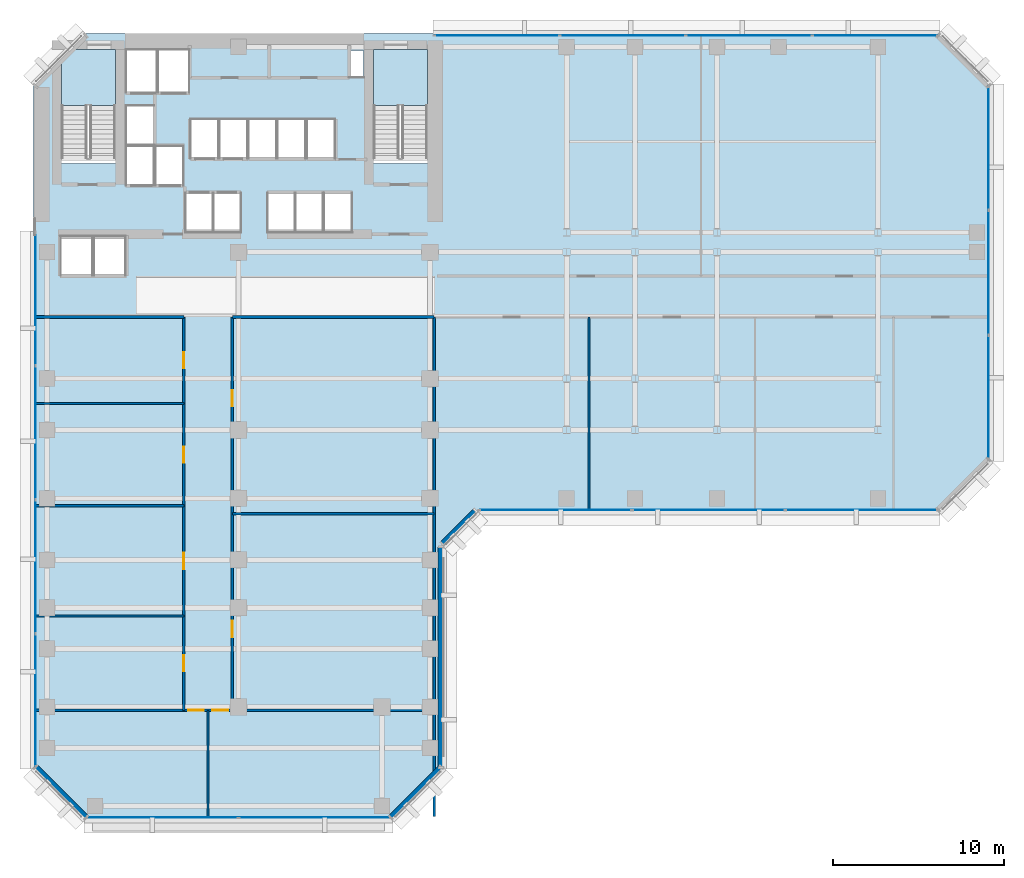
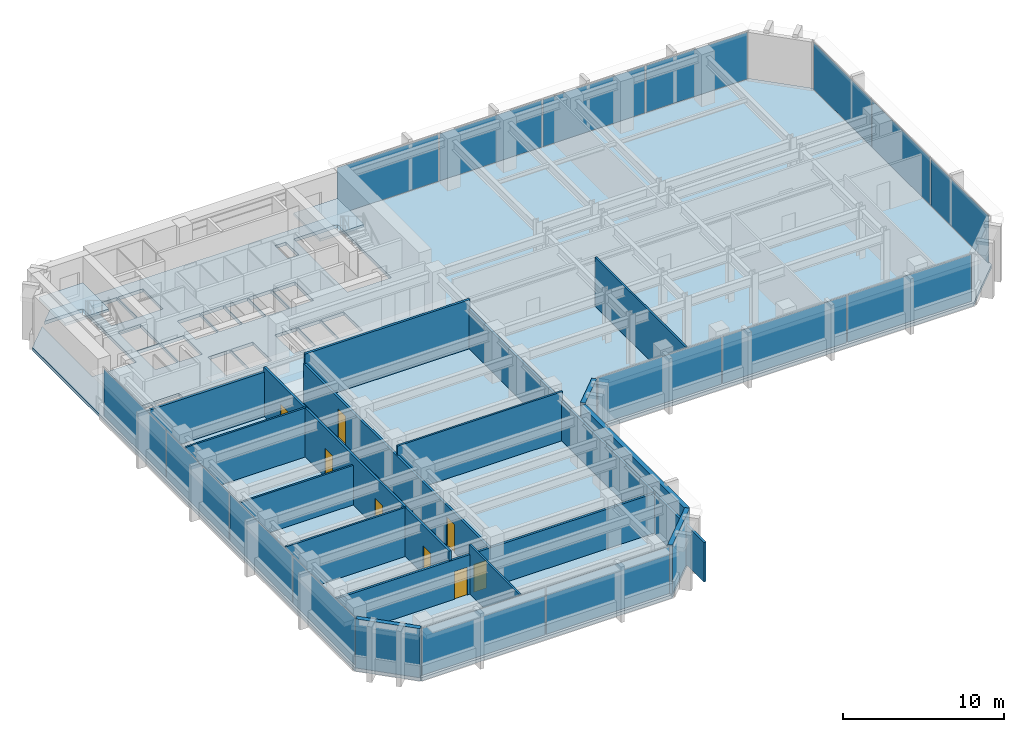
# One storey, part 6 of 13: 16 plates, 16 walls, 8 doors, 3 slabs, 8 openings, 7 elements without a shape of their own.
"""IFC4 building model written with IfcOpenShell, lengths in metres."""

from ifc_helpers import new_model, si_unit, direction, frame, frame_2d, origin, origin_2d, place, context, subcontext, project, spatial, polyline, rectangle, outline, extrude, material, layer, layer_set, type_object, element, fill, aggregate, save


model = new_model("IFC4")

# Units and contexts
model_context = context("Model", 3, precision=1e-05, world=origin(), true_north=direction((0.0, 1.0)))
body_context = subcontext(model_context, "Body", "Model", "MODEL_VIEW")
ifc_project = project(units=[si_unit("LENGTHUNIT", "METRE"), si_unit("AREAUNIT", "SQUARE_METRE"), si_unit("VOLUMEUNIT", "CUBIC_METRE"), si_unit("PLANEANGLEUNIT", "RADIAN"), si_unit("MASSUNIT", "GRAM", prefix="KILO")], contexts=[model_context])

# Site, building, storey
site_placement = place(None, origin())
site = spatial("IfcSite", under=ifc_project, at=site_placement, CompositionType="ELEMENT")
building_placement = place(site_placement, origin())
building = spatial("IfcBuilding", under=site, at=building_placement, Name="Kefirva Bronze Tower", CompositionType="ELEMENT")
storey_placement = place(building_placement, frame((0.0, 0.0, 106.590087890625)))
storey = spatial("IfcBuildingStorey", under=building, at=storey_placement, Name="L25", CompositionType="ELEMENT", Elevation=106.590087890625)

# Stair, slab
ifc_material_1 = material(Name="Concrete C40/50", Category="concrete")
stair_type = type_object("IfcStairType", Name="RC Dogleg Protected Stair 24R", PredefinedType="HALF_TURN_STAIR", material=ifc_material_1)
stair_1_placement = place(storey_placement, origin())
stair_1 = element("IfcStair", 1, at=stair_1_placement, inside=storey, type_object=stair_type, Name="L25 Protected Exit Stair 1", PredefinedType="HALF_TURN_STAIR")
ifc_layer_1 = layer(ifc_material_1, 0.199951171875, Name="Concrete C40/50")
ifc_layer_set_1 = layer_set([ifc_layer_1], Name="Concrete C40/50")
slab_type_1 = type_object("IfcSlabType", Name="RC Stair Landing Slab 200mm", PredefinedType="LANDING", material=ifc_layer_set_1)
slab_1_placement = place(storey_placement, frame((0.0, 0.0, 1.780029296875)))
slab_1 = element("IfcSlab", 2, at=slab_1_placement, type_object=slab_type_1, Name="ST-1 landing 1", PredefinedType="LANDING", context=body_context, shape_type="SweptSolid", body=[
    extrude(outline(polyline([(4.800048828125, 41.780029296875), (4.800048828125, 45.050048828125), (1.64990234375, 45.050048828125), (1.64990234375, 41.780029296875), (4.800048828125, 41.780029296875)])), origin(), (0.0, 0.0, 1.0), 0.199951171875),
])
aggregate(stair_1, [slab_1])

stair_2_placement = place(storey_placement, origin())
stair_2 = element("IfcStair", 3, at=stair_2_placement, inside=storey, type_object=stair_type, Name="L25 Protected Exit Stair 2", PredefinedType="HALF_TURN_STAIR")
slab_2_placement = place(storey_placement, frame((0.0, 0.0, 1.780029296875)))
slab_2 = element("IfcSlab", 4, at=slab_2_placement, type_object=slab_type_1, Name="ST-2 landing 1", PredefinedType="LANDING", context=body_context, shape_type="SweptSolid", body=[
    extrude(outline(polyline([(23.050048828125, 41.780029296875), (23.050048828125, 45.050048828125), (19.89990234375, 45.050048828125), (19.89990234375, 41.780029296875), (23.050048828125, 41.780029296875)])), origin(), (0.0, 0.0, 1.0), 0.199951171875),
])
aggregate(stair_2, [slab_2])

# Slab
ifc_layer_2 = layer(ifc_material_1, 0.25, Name="Concrete C40/50")
ifc_layer_set_2 = layer_set([ifc_layer_2], Name="Concrete C40/50")
slab_type_2 = type_object("IfcSlabType", Name="RC Tower Floor Slab 250mm", PredefinedType="FLOOR", material=ifc_layer_set_2)
slab_3_placement = place(storey_placement, frame((0.0, 0.0, -0.25)))
element("IfcSlab", 5, at=slab_3_placement, inside=storey, type_object=slab_type_2, Name="L25 Structural Floor Slab", PredefinedType="FLOOR", context=body_context, shape_type="SweptSolid", body=[
    extrude(outline(polyline([(0.0, 3.0), (0.0, 43.0), (1.64990234375, 44.64990234375), (1.64990234375, 38.39990234375), (4.800048828125, 38.39990234375), (4.800048828125, 45.050048828125), (2.050048828125, 45.050048828125), (3.0, 46.0), (53.0, 46.0), (56.0, 43.0), (56.0, 21.0), (53.0, 18.0), (26.0, 18.0), (24.0, 16.0), (24.0, 3.0), (21.0, 0.0), (3.0, 0.0), (0.0, 3.0)]), holes=[polyline([(19.89990234375, 38.39990234375), (23.050048828125, 38.39990234375), (23.050048828125, 45.050048828125), (19.89990234375, 45.050048828125), (19.89990234375, 38.39990234375)]), polyline([(18.52001953125, 43.419921875), (19.320068359375, 43.419921875), (19.320068359375, 45.0), (18.52001953125, 45.0), (18.52001953125, 43.419921875)]), polyline([(17.0, 34.35009765625), (18.64990234375, 34.35009765625), (18.64990234375, 36.64990234375), (17.0, 36.64990234375), (17.0, 34.35009765625)]), polyline([(17.64990234375, 38.679931640625), (17.64990234375, 40.97998046875), (16.0, 40.97998046875), (16.0, 38.679931640625), (17.64990234375, 38.679931640625)]), polyline([(16.949951171875, 34.35009765625), (16.949951171875, 36.64990234375), (15.35009765625, 36.64990234375), (15.35009765625, 34.35009765625), (16.949951171875, 34.35009765625)]), polyline([(15.929931640625, 38.679931640625), (15.929931640625, 40.97998046875), (14.300048828125, 40.97998046875), (14.300048828125, 38.679931640625), (15.929931640625, 38.679931640625)]), polyline([(15.300048828125, 34.35009765625), (15.300048828125, 36.64990234375), (13.699951171875, 36.64990234375), (13.699951171875, 34.35009765625), (15.300048828125, 34.35009765625)]), polyline([(14.22998046875, 38.679931640625), (14.22998046875, 40.97998046875), (12.60009765625, 40.97998046875), (12.60009765625, 38.679931640625), (14.22998046875, 38.679931640625)]), polyline([(10.89990234375, 38.679931640625), (12.530029296875, 38.679931640625), (12.530029296875, 40.97998046875), (10.89990234375, 40.97998046875), (10.89990234375, 38.679931640625)]), polyline([(12.139892578125, 34.35009765625), (12.139892578125, 36.64990234375), (10.5400390625, 36.64990234375), (10.5400390625, 34.35009765625), (12.139892578125, 34.35009765625)]), polyline([(10.830078125, 38.679931640625), (10.830078125, 40.97998046875), (9.199951171875, 40.97998046875), (9.199951171875, 38.679931640625), (10.830078125, 38.679931640625)]), polyline([(10.5, 34.35009765625), (10.5, 36.64990234375), (8.89990234375, 36.64990234375), (8.89990234375, 34.35009765625), (10.5, 34.35009765625)]), polyline([(7.300048828125, 42.550048828125), (9.1201171875, 42.550048828125), (9.1201171875, 45.050048828125), (7.300048828125, 45.050048828125), (7.300048828125, 42.550048828125)]), polyline([(7.139892578125, 37.10009765625), (8.780029296875, 37.10009765625), (8.780029296875, 39.39990234375), (7.139892578125, 39.39990234375), (7.139892578125, 37.10009765625)]), polyline([(5.419921875, 42.550048828125), (7.239990234375, 42.550048828125), (7.239990234375, 45.050048828125), (5.419921875, 45.050048828125), (5.419921875, 42.550048828125)]), polyline([(7.06005859375, 39.47998046875), (7.06005859375, 41.780029296875), (5.419921875, 41.780029296875), (5.419921875, 39.47998046875), (7.06005859375, 39.47998046875)]), polyline([(5.419921875, 37.10009765625), (7.06005859375, 37.10009765625), (7.06005859375, 39.39990234375), (5.419921875, 39.39990234375), (5.419921875, 37.10009765625)]), polyline([(5.39990234375, 31.85009765625), (5.39990234375, 34.14990234375), (3.550048828125, 34.14990234375), (3.550048828125, 31.85009765625), (5.39990234375, 31.85009765625)]), polyline([(3.449951171875, 31.85009765625), (3.449951171875, 34.14990234375), (1.60009765625, 34.14990234375), (1.60009765625, 31.85009765625), (3.449951171875, 31.85009765625)])]), origin(), (0.0, 0.0, 1.0), 0.25),
])

# Curtain wall, plates
ifc_material_2 = material(Name="Bronze anodised aluminium", Category="aluminium")
ifc_layer_3 = layer(ifc_material_2, 0.199951171875, Name="Bronze anodised aluminium")
ifc_layer_set_3 = layer_set([ifc_layer_3], Name="Bronze anodised aluminium")
curtain_wall_type = type_object("IfcCurtainWallType", Name="Unitised Bronze Ribbon Curtain Wall Zone 1", PredefinedType="USERDEFINED", material=ifc_layer_set_3)
curtain_wall_1_placement = place(storey_placement, origin())
curtain_wall_1 = element("IfcCurtainWall", 6, at=curtain_wall_1_placement, inside=storey, type_object=curtain_wall_type, Name="L25 Curtain Wall 1", ObjectType="UNITISED CURTAIN WALL", PredefinedType="USERDEFINED")
ifc_material_3 = material(Name="Laminated low-E double glazing", Category="glass")
ifc_layer_4 = layer(ifc_material_3, 0.031982421875, Name="Laminated low-E double glazing")
ifc_layer_set_4 = layer_set([ifc_layer_4], Name="Laminated low-E double glazing")
plate_type = type_object("IfcPlateType", Name="Solar-Control Low-E Vision Panel 32mm", PredefinedType="CURTAIN_PANEL", material=ifc_layer_set_4)
plate_1_placement = place(storey_placement, frame((7.546142578125, 0.1201171875, 0.074951171875), z_axis=(0.0, 0.0, 1.0), x_axis=(1.0, 0.0, 0.0)))
plate_1 = element("IfcPlate", 7, at=plate_1_placement, type_object=plate_type, Name="CW-01 panel 1.1", PredefinedType="CURTAIN_PANEL", context=body_context, shape_type="SweptSolid", body=[
    extrude(rectangle(XDim=8.83251953125, YDim=0.031982421875, at=origin_2d()), origin(), (0.0, 0.0, 1.0), 3.56005859375),
])
plate_2_placement = place(storey_placement, frame((16.453857421875, 0.1201171875, 0.074951171875), z_axis=(0.0, 0.0, 1.0), x_axis=(1.0, 0.0, 0.0)))
plate_2 = element("IfcPlate", 8, at=plate_2_placement, type_object=plate_type, Name="CW-01 panel 2.1", PredefinedType="CURTAIN_PANEL", context=body_context, shape_type="SweptSolid", body=[
    extrude(rectangle(XDim=8.83251953125, YDim=0.031982421875, at=origin_2d()), origin(), (0.0, 0.0, 1.0), 3.56005859375),
])
aggregate(curtain_wall_1, [plate_1, plate_2])

curtain_wall_2_placement = place(storey_placement, origin())
curtain_wall_2 = element("IfcCurtainWall", 9, at=curtain_wall_2_placement, inside=storey, type_object=curtain_wall_type, Name="L25 Curtain Wall 2", ObjectType="UNITISED CURTAIN WALL", PredefinedType="USERDEFINED")
plate_3_placement = place(storey_placement, frame((30.555419921875, 18.1201171875, 0.074951171875), z_axis=(0.0, 0.0, 1.0), x_axis=(1.0, 0.0, 0.0)))
plate_3 = element("IfcPlate", 10, at=plate_3_placement, type_object=plate_type, Name="CW-01 panel 1.1", PredefinedType="CURTAIN_PANEL", context=body_context, shape_type="SweptSolid", body=[
    extrude(rectangle(XDim=8.850830078125, YDim=0.031982421875, at=origin_2d()), origin(), (0.0, 0.0, 1.0), 3.56005859375),
])
plate_4_placement = place(storey_placement, frame((39.5, 18.1201171875, 0.074951171875), z_axis=(0.0, 0.0, 1.0), x_axis=(1.0, 0.0, 0.0)))
plate_4 = element("IfcPlate", 11, at=plate_4_placement, type_object=plate_type, Name="CW-01 panel 2.1", PredefinedType="CURTAIN_PANEL", context=body_context, shape_type="SweptSolid", body=[
    extrude(rectangle(XDim=8.888427734375, YDim=0.031982421875, at=origin_2d()), origin(), (0.0, 0.0, 1.0), 3.56005859375),
])
plate_5_placement = place(storey_placement, frame((48.444580078125, 18.1201171875, 0.074951171875), z_axis=(0.0, 0.0, 1.0), x_axis=(1.0, 0.0, 0.0)))
plate_5 = element("IfcPlate", 12, at=plate_5_placement, type_object=plate_type, Name="CW-01 panel 3.1", PredefinedType="CURTAIN_PANEL", context=body_context, shape_type="SweptSolid", body=[
    extrude(rectangle(XDim=8.850830078125, YDim=0.031982421875, at=origin_2d()), origin(), (0.0, 0.0, 1.0), 3.56005859375),
])
aggregate(curtain_wall_2, [plate_3, plate_4, plate_5])

curtain_wall_3_placement = place(storey_placement, origin())
curtain_wall_3 = element("IfcCurtainWall", 13, at=curtain_wall_3_placement, inside=storey, type_object=curtain_wall_type, Name="L25 Curtain Wall 3", ObjectType="UNITISED CURTAIN WALL", PredefinedType="USERDEFINED")
plate_6_placement = place(storey_placement, frame((55.8798828125, 24.72216796875, 0.074951171875), z_axis=(0.0, 0.0, 1.0), x_axis=(0.0, 1.0, 0.0)))
plate_6 = element("IfcPlate", 14, at=plate_6_placement, type_object=plate_type, Name="CW-01 panel 1.1", PredefinedType="CURTAIN_PANEL", context=body_context, shape_type="SweptSolid", body=[
    extrude(rectangle(XDim=7.18408203125, YDim=0.031982421875, at=origin_2d()), origin(), (0.0, 0.0, 1.0), 3.56005859375),
])
plate_7_placement = place(storey_placement, frame((55.8798828125, 32.0, 0.074951171875), z_axis=(0.0, 0.0, 1.0), x_axis=(0.0, 1.0, 0.0)))
plate_7 = element("IfcPlate", 15, at=plate_7_placement, type_object=plate_type, Name="CW-01 panel 2.1", PredefinedType="CURTAIN_PANEL", context=body_context, shape_type="SweptSolid", body=[
    extrude(rectangle(XDim=7.2216796875, YDim=0.031982421875, at=origin_2d()), origin(), (0.0, 0.0, 1.0), 3.56005859375),
])
plate_8_placement = place(storey_placement, frame((55.8798828125, 39.27783203125, 0.074951171875), z_axis=(0.0, 0.0, 1.0), x_axis=(0.0, 1.0, 0.0)))
plate_8 = element("IfcPlate", 16, at=plate_8_placement, type_object=plate_type, Name="CW-01 panel 3.1", PredefinedType="CURTAIN_PANEL", context=body_context, shape_type="SweptSolid", body=[
    extrude(rectangle(XDim=7.18408203125, YDim=0.031982421875, at=origin_2d()), origin(), (0.0, 0.0, 1.0), 3.56005859375),
])
aggregate(curtain_wall_3, [plate_6, plate_7, plate_8])

curtain_wall_4_placement = place(storey_placement, origin())
curtain_wall_4 = element("IfcCurtainWall", 17, at=curtain_wall_4_placement, inside=storey, type_object=curtain_wall_type, Name="L25 Curtain Wall 4", ObjectType="UNITISED CURTAIN WALL", PredefinedType="USERDEFINED")
plate_9_placement = place(storey_placement, frame((49.233642578125, 45.8798828125, 0.074951171875), z_axis=(0.0, 0.0, 1.0), x_axis=(-1.0, 0.0, 0.0)))
plate_9 = element("IfcPlate", 18, at=plate_9_placement, type_object=plate_type, Name="CW-01 panel 1.1", PredefinedType="CURTAIN_PANEL", context=body_context, shape_type="SweptSolid", body=[
    extrude(rectangle(XDim=7.2724609375, YDim=0.031982421875, at=origin_2d()), origin(), (0.0, 0.0, 1.0), 3.56005859375),
])
plate_10_placement = place(storey_placement, frame((41.867431640625, 45.8798828125, 0.074951171875), z_axis=(0.0, 0.0, 1.0), x_axis=(-1.0, 0.0, 0.0)))
plate_10 = element("IfcPlate", 19, at=plate_10_placement, type_object=plate_type, Name="CW-01 panel 2.1", PredefinedType="CURTAIN_PANEL", context=body_context, shape_type="SweptSolid", body=[
    extrude(rectangle(XDim=7.31005859375, YDim=0.031982421875, at=origin_2d()), origin(), (0.0, 0.0, 1.0), 3.56005859375),
])
plate_11_placement = place(storey_placement, frame((34.482421875, 45.8798828125, 0.074951171875), z_axis=(0.0, 0.0, 1.0), x_axis=(-1.0, 0.0, 0.0)))
plate_11 = element("IfcPlate", 20, at=plate_11_placement, type_object=plate_type, Name="CW-01 panel 3.1", PredefinedType="CURTAIN_PANEL", context=body_context, shape_type="SweptSolid", body=[
    extrude(rectangle(XDim=7.31005859375, YDim=0.031982421875, at=origin_2d()), origin(), (0.0, 0.0, 1.0), 3.56005859375),
])
plate_12_placement = place(storey_placement, frame((27.1162109375, 45.8798828125, 0.074951171875), z_axis=(0.0, 0.0, 1.0), x_axis=(-1.0, 0.0, 0.0)))
plate_12 = element("IfcPlate", 21, at=plate_12_placement, type_object=plate_type, Name="CW-01 panel 4.1", PredefinedType="CURTAIN_PANEL", context=body_context, shape_type="SweptSolid", body=[
    extrude(rectangle(XDim=7.2724609375, YDim=0.031982421875, at=origin_2d()), origin(), (0.0, 0.0, 1.0), 3.56005859375),
])
aggregate(curtain_wall_4, [plate_9, plate_10, plate_11, plate_12])

curtain_wall_5_placement = place(storey_placement, origin())
curtain_wall_5 = element("IfcCurtainWall", 22, at=curtain_wall_5_placement, inside=storey, type_object=curtain_wall_type, Name="L25 Curtain Wall 5", ObjectType="UNITISED CURTAIN WALL", PredefinedType="USERDEFINED")
plate_13_placement = place(storey_placement, frame((0.1201171875, 30.458740234375, 0.074951171875), z_axis=(0.0, 0.0, 1.0), x_axis=(0.0, -1.0, 0.0)))
plate_13 = element("IfcPlate", 23, at=plate_13_placement, type_object=plate_type, Name="CW-01 panel 1.1", PredefinedType="CURTAIN_PANEL", context=body_context, shape_type="SweptSolid", body=[
    extrude(rectangle(XDim=7.722412109375, YDim=0.031982421875, at=origin_2d()), origin(), (0.0, 0.0, 1.0), 3.56005859375),
])
plate_14_placement = place(storey_placement, frame((0.1201171875, 22.642578125, 0.074951171875), z_axis=(0.0, 0.0, 1.0), x_axis=(0.0, -1.0, 0.0)))
plate_14 = element("IfcPlate", 24, at=plate_14_placement, type_object=plate_type, Name="CW-01 panel 2.1", PredefinedType="CURTAIN_PANEL", context=body_context, shape_type="SweptSolid", body=[
    extrude(rectangle(XDim=7.760009765625, YDim=0.031982421875, at=origin_2d()), origin(), (0.0, 0.0, 1.0), 3.56005859375),
])
plate_15_placement = place(storey_placement, frame((0.1201171875, 14.8076171875, 0.074951171875), z_axis=(0.0, 0.0, 1.0), x_axis=(0.0, -1.0, 0.0)))
plate_15 = element("IfcPlate", 25, at=plate_15_placement, type_object=plate_type, Name="CW-01 panel 3.1", PredefinedType="CURTAIN_PANEL", context=body_context, shape_type="SweptSolid", body=[
    extrude(rectangle(XDim=7.760009765625, YDim=0.031982421875, at=origin_2d()), origin(), (0.0, 0.0, 1.0), 3.56005859375),
])
plate_16_placement = place(storey_placement, frame((0.1201171875, 6.9912109375, 0.074951171875), z_axis=(0.0, 0.0, 1.0), x_axis=(0.0, -1.0, 0.0)))
plate_16 = element("IfcPlate", 26, at=plate_16_placement, type_object=plate_type, Name="CW-01 panel 4.1", PredefinedType="CURTAIN_PANEL", context=body_context, shape_type="SweptSolid", body=[
    extrude(rectangle(XDim=7.722412109375, YDim=0.031982421875, at=origin_2d()), origin(), (0.0, 0.0, 1.0), 3.56005859375),
])
aggregate(curtain_wall_5, [plate_13, plate_14, plate_15, plate_16])

# Walls
ifc_material_4 = material(Name="Gypsum acoustic partition")
ifc_layer_5 = layer(ifc_material_4, 0.1298828125, Name="Gypsum acoustic partition")
ifc_layer_set_5 = layer_set([ifc_layer_5], Name="Gypsum acoustic partition")
wall_type_1 = type_object("IfcWallType", Name="Acoustic Office Partition 130mm", PredefinedType="PARTITIONING", material=ifc_layer_set_5)
wall_1_placement = place(storey_placement, frame((10.219970703125, 0.18994140625, 0.0), z_axis=(0.0, 0.0, 1.0), x_axis=(0.0, 1.0, 0.0)))
element("IfcWall", 27, at=wall_1_placement, inside=storey, type_object=wall_type_1, Name="L25 Partition W-L25-CAPDV", PredefinedType="PARTITIONING", context=body_context, shape_type="SweptSolid", body=[
    extrude(rectangle(XDim=6.2099609375, YDim=0.1298828125, at=frame_2d((3.10498046875, 0.0))), origin(), (0.0, 0.0, 1.0), 3.7099609375),
])
wall_2_placement = place(storey_placement, frame((0.18994140625, 11.919921875, 0.0), z_axis=(0.0, 0.0, 1.0), x_axis=(1.0, 0.0, 0.0)))
element("IfcWall", 28, at=wall_2_placement, inside=storey, type_object=wall_type_1, Name="L25 Partition W-L25-SWD1", PredefinedType="PARTITIONING", context=body_context, shape_type="SweptSolid", body=[
    extrude(rectangle(XDim=8.610107421875, YDim=0.1298828125, at=frame_2d((4.30517578125, 0.0))), origin(), (0.0, 0.0, 1.0), 3.7099609375),
])
wall_3_placement = place(storey_placement, frame((0.18994140625, 18.360107421875, 0.0), z_axis=(0.0, 0.0, 1.0), x_axis=(1.0, 0.0, 0.0)))
element("IfcWall", 29, at=wall_3_placement, inside=storey, type_object=wall_type_1, Name="L25 Partition W-L25-SWD2", PredefinedType="PARTITIONING", context=body_context, shape_type="SweptSolid", body=[
    extrude(rectangle(XDim=8.610107421875, YDim=0.1298828125, at=frame_2d((4.30517578125, 0.0))), origin(), (0.0, 0.0, 1.0), 2.994873046875),
])
wall_4_placement = place(storey_placement, frame((0.18994140625, 24.340087890625, 0.0), z_axis=(0.0, 0.0, 1.0), x_axis=(1.0, 0.0, 0.0)))
element("IfcWall", 30, at=wall_4_placement, inside=storey, type_object=wall_type_1, Name="L25 Partition W-L25-SWD3", PredefinedType="PARTITIONING", context=body_context, shape_type="SweptSolid", body=[
    extrude(rectangle(XDim=8.610107421875, YDim=0.1298828125, at=frame_2d((4.30517578125, 0.0))), origin(), (0.0, 0.0, 1.0), 3.7099609375),
])
wall_5_placement = place(storey_placement, frame((11.639892578125, 17.89990234375, 0.0), z_axis=(0.0, 0.0, 1.0), x_axis=(1.0, 0.0, 0.0)))
element("IfcWall", 31, at=wall_5_placement, inside=storey, type_object=wall_type_1, Name="L25 Partition W-L25-SED1", PredefinedType="PARTITIONING", context=body_context, shape_type="SweptSolid", body=[
    extrude(rectangle(XDim=11.81005859375, YDim=0.1298828125, at=frame_2d((5.905029296875, 0.0))), origin(), (0.0, 0.0, 1.0), 3.7099609375),
])
wall_6_placement = place(storey_placement, frame((32.5107421875, 18.18994140625, 0.0), z_axis=(0.0, 0.0, 1.0), x_axis=(0.0, 1.0, 0.0)))
element("IfcWall", 32, at=wall_6_placement, inside=storey, type_object=wall_type_1, Name="L25 Partition W-L25-ESD1", PredefinedType="PARTITIONING", context=body_context, shape_type="SweptSolid", body=[
    extrude(rectangle(XDim=11.2099609375, YDim=0.1298828125, at=frame_2d((5.60498046875, 0.0))), origin(), (0.0, 0.0, 1.0), 3.7099609375),
])
ifc_material_5 = material(Name="Precast concrete C40/50", Category="concrete")
ifc_layer_6 = layer(ifc_material_5, 0.320068359375, Name="Precast concrete C40/50")
ifc_layer_set_6 = layer_set([ifc_layer_6], Name="Precast concrete C40/50")
wall_type_2 = type_object("IfcWallType", Name="Precast Insulated Exterior Wall 320mm", PredefinedType="SOLIDWALL", material=ifc_layer_set_6)
wall_7_placement = place(storey_placement, frame((20.92578125, 0.152099609375, 0.0), z_axis=(0.0, 0.0, 1.0), x_axis=(0.707106781187, 0.707106781187, 0.0)))
element("IfcWall", 33, at=wall_7_placement, inside=storey, type_object=wall_type_2, Name="L25 Exterior Facade Wall 1", PredefinedType="SOLIDWALL", context=body_context, shape_type="SweptSolid", body=[
    extrude(rectangle(XDim=4.132568359375, YDim=0.320068359375, at=frame_2d((2.06640625, 0.0))), origin(), (0.0, 0.0, 1.0), 3.7099609375),
])
wall_8_placement = place(storey_placement, frame((23.840087890625, 3.054931640625, 0.0), z_axis=(0.0, 0.0, 1.0), x_axis=(0.0, 1.0, 0.0)))
element("IfcWall", 34, at=wall_8_placement, inside=storey, type_object=wall_type_2, Name="L25 Exterior Facade Wall 2", PredefinedType="SOLIDWALL", context=body_context, shape_type="SweptSolid", body=[
    extrude(rectangle(XDim=12.89013671875, YDim=0.320068359375, at=frame_2d((6.445068359375, 0.0))), origin(), (0.0, 0.0, 1.0), 3.7099609375),
])
wall_9_placement = place(storey_placement, frame((23.92578125, 16.152099609375, 0.0), z_axis=(0.0, 0.0, 1.0), x_axis=(0.707106781187, 0.707106781187, 0.0)))
element("IfcWall", 35, at=wall_9_placement, inside=storey, type_object=wall_type_2, Name="L25 Exterior Facade Wall 3", PredefinedType="SOLIDWALL", context=body_context, shape_type="SweptSolid", body=[
    extrude(rectangle(XDim=2.71826171875, YDim=0.320068359375, at=frame_2d((1.359130859375, 0.0))), origin(), (0.0, 0.0, 1.0), 3.7099609375),
])
wall_10_placement = place(storey_placement, frame((0.152099609375, 3.07421875, 0.0), z_axis=(0.0, 0.0, 1.0), x_axis=(0.707106781187, -0.707106781187, 0.0)))
element("IfcWall", 36, at=wall_10_placement, inside=storey, type_object=wall_type_2, Name="L25 Exterior Facade Wall 7", PredefinedType="SOLIDWALL", context=body_context, shape_type="SweptSolid", body=[
    extrude(rectangle(XDim=4.132568359375, YDim=0.320068359375, at=frame_2d((2.06640625, 0.0))), origin(), (0.0, 0.0, 1.0), 3.7099609375),
])

# Wall, openings, doors
ifc_layer_7 = layer(ifc_material_4, 0.159912109375, Name="Gypsum acoustic partition")
ifc_layer_set_7 = layer_set([ifc_layer_7], Name="Gypsum acoustic partition")
wall_type_3 = type_object("IfcWallType", Name="Protected Corridor Partition 160mm", PredefinedType="PARTITIONING", material=ifc_layer_set_7)
wall_11_placement = place(storey_placement, frame((8.800048828125, 6.39990234375, 0.0), z_axis=(0.0, 0.0, 1.0), x_axis=(0.0, 1.0, 0.0)))
wall_11 = element("IfcWall", 37, at=wall_11_placement, inside=storey, type_object=wall_type_3, Name="L25 Partition W-L25-SWCORW", PredefinedType="PARTITIONING", context=body_context, shape_type="SweptSolid", body=[
    extrude(rectangle(XDim=23.0, YDim=0.159912109375, at=frame_2d((11.5, 0.0))), origin(), (0.0, 0.0, 1.0), 3.7099609375),
])
opening_1_placement = place(wall_11_placement, frame((3.23486328125, 0.0, 0.0), z_axis=(0.0, 0.0, 1.0), x_axis=(-1.0, 0.0, 0.0)))
opening_1 = element("IfcOpeningElement", 38, at=opening_1_placement, cuts=wall_11, Name="Opening L25-D-SW1", PredefinedType="OPENING", context=body_context, shape_type="SweptSolid", body=[
    extrude(rectangle(XDim=0.949951171875, YDim=2.14990234375, at=frame_2d((0.47509765625, 1.074951171875))), frame((0.0, 0.08984375, 0.0), z_axis=(0.0, -1.0, 0.0), x_axis=(1.0, 0.0, 0.0)), (0.0, 0.0, 1.0), 0.179931640625),
])
opening_2_placement = place(wall_11_placement, frame((9.21484375, 0.0, 0.0), z_axis=(0.0, 0.0, 1.0), x_axis=(-1.0, 0.0, 0.0)))
opening_2 = element("IfcOpeningElement", 39, at=opening_2_placement, cuts=wall_11, Name="Opening L25-D-SW2", PredefinedType="OPENING", context=body_context, shape_type="SweptSolid", body=[
    extrude(rectangle(XDim=0.949951171875, YDim=2.14990234375, at=frame_2d((0.47509765625, 1.074951171875))), frame((0.0, 0.08984375, 0.0), z_axis=(0.0, -1.0, 0.0), x_axis=(1.0, 0.0, 0.0)), (0.0, 0.0, 1.0), 0.179931640625),
])
opening_3_placement = place(wall_11_placement, frame((15.425048828125, 0.0, 0.0), z_axis=(0.0, 0.0, 1.0), x_axis=(-1.0, 0.0, 0.0)))
opening_3 = element("IfcOpeningElement", 40, at=opening_3_placement, cuts=wall_11, Name="Opening L25-D-SW3", PredefinedType="OPENING", context=body_context, shape_type="SweptSolid", body=[
    extrude(rectangle(XDim=0.949951171875, YDim=2.14990234375, at=frame_2d((0.47509765625, 1.074951171875))), frame((0.0, 0.08984375, 0.0), z_axis=(0.0, -1.0, 0.0), x_axis=(1.0, 0.0, 0.0)), (0.0, 0.0, 1.0), 0.179931640625),
])
opening_4_placement = place(wall_11_placement, frame((20.945068359375, 0.0, 0.0), z_axis=(0.0, 0.0, 1.0), x_axis=(-1.0, 0.0, 0.0)))
opening_4 = element("IfcOpeningElement", 41, at=opening_4_placement, cuts=wall_11, Name="Opening L25-D-SW4", PredefinedType="OPENING", context=body_context, shape_type="SweptSolid", body=[
    extrude(rectangle(XDim=0.949951171875, YDim=2.14990234375, at=frame_2d((0.47509765625, 1.074951171875))), frame((0.0, 0.08984375, 0.0), z_axis=(0.0, -1.0, 0.0), x_axis=(1.0, 0.0, 0.0)), (0.0, 0.0, 1.0), 0.179931640625),
])
ifc_material_6 = material(Name="Acoustic hardwood oak", Category="wood")
door_type_1 = type_object("IfcDoorType", Name="Office & Meeting Room Door 950x2150", OperationType="NOTDEFINED", PredefinedType="DOOR", material=ifc_material_6)
door_1_placement = place(opening_1_placement, origin())
door_1 = element("IfcDoor", 42, at=door_1_placement, inside=storey, type_object=door_type_1, Name="Door L25-D-SW1", OperationType="SINGLE_SWING_RIGHT", OverallHeight=2.14990234375, OverallWidth=0.949951171875, PredefinedType="DOOR", context=body_context, shape_type="SweptSolid", body=[
    extrude(rectangle(XDim=0.949951171875, YDim=2.14990234375, at=frame_2d((0.47509765625, 1.074951171875))), frame((0.0, 0.02490234375, 0.0), z_axis=(0.0, -1.0, 0.0), x_axis=(1.0, 0.0, 0.0)), (0.0, 0.0, 1.0), 0.050048828125),
])
fill(opening_1, door_1)
door_2_placement = place(opening_2_placement, origin())
door_2 = element("IfcDoor", 43, at=door_2_placement, inside=storey, type_object=door_type_1, Name="Door L25-D-SW2", OperationType="SINGLE_SWING_LEFT", OverallHeight=2.14990234375, OverallWidth=0.949951171875, PredefinedType="DOOR", context=body_context, shape_type="SweptSolid", body=[
    extrude(rectangle(XDim=0.949951171875, YDim=2.14990234375, at=frame_2d((0.47509765625, 1.074951171875))), frame((0.0, 0.02490234375, 0.0), z_axis=(0.0, -1.0, 0.0), x_axis=(1.0, 0.0, 0.0)), (0.0, 0.0, 1.0), 0.050048828125),
])
fill(opening_2, door_2)
door_3_placement = place(opening_3_placement, origin())
door_3 = element("IfcDoor", 44, at=door_3_placement, inside=storey, type_object=door_type_1, Name="Door L25-D-SW3", OperationType="SINGLE_SWING_RIGHT", OverallHeight=2.14990234375, OverallWidth=0.949951171875, PredefinedType="DOOR", context=body_context, shape_type="SweptSolid", body=[
    extrude(rectangle(XDim=0.949951171875, YDim=2.14990234375, at=frame_2d((0.47509765625, 1.074951171875))), frame((0.0, 0.02490234375, 0.0), z_axis=(0.0, -1.0, 0.0), x_axis=(1.0, 0.0, 0.0)), (0.0, 0.0, 1.0), 0.050048828125),
])
fill(opening_3, door_3)
door_4_placement = place(opening_4_placement, origin())
door_4 = element("IfcDoor", 45, at=door_4_placement, inside=storey, type_object=door_type_1, Name="Door L25-D-SW4", OperationType="SINGLE_SWING_LEFT", OverallHeight=2.14990234375, OverallWidth=0.949951171875, PredefinedType="DOOR", context=body_context, shape_type="SweptSolid", body=[
    extrude(rectangle(XDim=0.949951171875, YDim=2.14990234375, at=frame_2d((0.47509765625, 1.074951171875))), frame((0.0, 0.02490234375, 0.0), z_axis=(0.0, -1.0, 0.0), x_axis=(1.0, 0.0, 0.0)), (0.0, 0.0, 1.0), 0.050048828125),
])
fill(opening_4, door_4)

wall_12_placement = place(storey_placement, frame((11.639892578125, 6.39990234375, 0.0), z_axis=(0.0, 0.0, 1.0), x_axis=(0.0, 1.0, 0.0)))
wall_12 = element("IfcWall", 46, at=wall_12_placement, inside=storey, type_object=wall_type_3, Name="L25 Partition W-L25-SECORE", PredefinedType="PARTITIONING", context=body_context, shape_type="SweptSolid", body=[
    extrude(rectangle(XDim=23.0, YDim=0.159912109375, at=frame_2d((11.5, 0.0))), origin(), (0.0, 0.0, 1.0), 2.994873046875),
])
opening_5_placement = place(wall_12_placement, frame((4.27490234375, 0.0, 0.0)))
opening_5 = element("IfcOpeningElement", 47, at=opening_5_placement, cuts=wall_12, Name="Opening L25-D-SE1", PredefinedType="OPENING", context=body_context, shape_type="SweptSolid", body=[
    extrude(rectangle(XDim=0.949951171875, YDim=2.14990234375, at=frame_2d((0.47509765625, 1.074951171875))), frame((0.0, 0.08984375, 0.0), z_axis=(0.0, -1.0, 0.0), x_axis=(1.0, 0.0, 0.0)), (0.0, 0.0, 1.0), 0.179931640625),
])
opening_6_placement = place(wall_12_placement, frame((17.77490234375, 0.0, 0.0)))
opening_6 = element("IfcOpeningElement", 48, at=opening_6_placement, cuts=wall_12, Name="Opening L25-D-SE2", PredefinedType="OPENING", context=body_context, shape_type="SweptSolid", body=[
    extrude(rectangle(XDim=0.949951171875, YDim=2.14990234375, at=frame_2d((0.47509765625, 1.074951171875))), frame((0.0, 0.08984375, 0.0), z_axis=(0.0, -1.0, 0.0), x_axis=(1.0, 0.0, 0.0)), (0.0, 0.0, 1.0), 0.179931640625),
])
door_5_placement = place(opening_5_placement, origin())
door_5 = element("IfcDoor", 49, at=door_5_placement, inside=storey, type_object=door_type_1, Name="Door L25-D-SE1", OperationType="SINGLE_SWING_RIGHT", OverallHeight=2.14990234375, OverallWidth=0.949951171875, PredefinedType="DOOR", context=body_context, shape_type="SweptSolid", body=[
    extrude(rectangle(XDim=0.949951171875, YDim=2.14990234375, at=frame_2d((0.47509765625, 1.074951171875))), frame((0.0, 0.02490234375, 0.0), z_axis=(0.0, -1.0, 0.0), x_axis=(1.0, 0.0, 0.0)), (0.0, 0.0, 1.0), 0.050048828125),
])
fill(opening_5, door_5)
door_6_placement = place(opening_6_placement, origin())
door_6 = element("IfcDoor", 50, at=door_6_placement, inside=storey, type_object=door_type_1, Name="Door L25-D-SE2", OperationType="SINGLE_SWING_LEFT", OverallHeight=2.14990234375, OverallWidth=0.949951171875, PredefinedType="DOOR", context=body_context, shape_type="SweptSolid", body=[
    extrude(rectangle(XDim=0.949951171875, YDim=2.14990234375, at=frame_2d((0.47509765625, 1.074951171875))), frame((0.0, 0.02490234375, 0.0), z_axis=(0.0, -1.0, 0.0), x_axis=(1.0, 0.0, 0.0)), (0.0, 0.0, 1.0), 0.050048828125),
])
fill(opening_6, door_6)

wall_13_placement = place(storey_placement, frame((0.18994140625, 6.39990234375, 0.0), z_axis=(0.0, 0.0, 1.0), x_axis=(1.0, 0.0, 0.0)))
wall_13 = element("IfcWall", 51, at=wall_13_placement, inside=storey, type_object=wall_type_3, Name="L25 Partition W-L25-SBEND", PredefinedType="PARTITIONING", context=body_context, shape_type="SweptSolid", body=[
    extrude(rectangle(XDim=23.260009765625, YDim=0.159912109375, at=frame_2d((11.6298828125, 0.0))), origin(), (0.0, 0.0, 1.0), 2.994873046875),
])
opening_7_placement = place(wall_13_placement, frame((8.860107421875, 0.0, 0.0)))
opening_7 = element("IfcOpeningElement", 52, at=opening_7_placement, cuts=wall_13, Name="Opening L25-D-SEND1", PredefinedType="OPENING", context=body_context, shape_type="SweptSolid", body=[
    extrude(rectangle(XDim=0.919921875, YDim=2.10009765625, at=frame_2d((0.4599609375, 1.050048828125))), frame((0.0, 0.08984375, 0.0), z_axis=(0.0, -1.0, 0.0), x_axis=(1.0, 0.0, 0.0)), (0.0, 0.0, 1.0), 0.179931640625),
])
opening_8_placement = place(wall_13_placement, frame((10.280029296875, 0.0, 0.0)))
opening_8 = element("IfcOpeningElement", 53, at=opening_8_placement, cuts=wall_13, Name="Opening L25-D-SEND2", PredefinedType="OPENING", context=body_context, shape_type="SweptSolid", body=[
    extrude(rectangle(XDim=0.919921875, YDim=2.10009765625, at=frame_2d((0.4599609375, 1.050048828125))), frame((0.0, 0.08984375, 0.0), z_axis=(0.0, -1.0, 0.0), x_axis=(1.0, 0.0, 0.0)), (0.0, 0.0, 1.0), 0.179931640625),
])
ifc_material_7 = material(Name="Moisture-resistant timber", Category="wood")
door_type_2 = type_object("IfcDoorType", Name="Accessible Sanitary & WC Door 920x2100", OperationType="NOTDEFINED", PredefinedType="DOOR", material=ifc_material_7)
door_7_placement = place(opening_7_placement, origin())
door_7 = element("IfcDoor", 54, at=door_7_placement, inside=storey, type_object=door_type_2, Name="Door L25-D-SEND1", OperationType="SINGLE_SWING_RIGHT", OverallHeight=2.10009765625, OverallWidth=0.919921875, PredefinedType="DOOR", context=body_context, shape_type="SweptSolid", body=[
    extrude(rectangle(XDim=0.919921875, YDim=2.10009765625, at=frame_2d((0.4599609375, 1.050048828125))), frame((0.0, 0.02490234375, 0.0), z_axis=(0.0, -1.0, 0.0), x_axis=(1.0, 0.0, 0.0)), (0.0, 0.0, 1.0), 0.050048828125),
])
fill(opening_7, door_7)
door_8_placement = place(opening_8_placement, origin())
door_8 = element("IfcDoor", 55, at=door_8_placement, inside=storey, type_object=door_type_2, Name="Door L25-D-SEND2", OperationType="SINGLE_SWING_LEFT", OverallHeight=2.10009765625, OverallWidth=0.919921875, PredefinedType="DOOR", context=body_context, shape_type="SweptSolid", body=[
    extrude(rectangle(XDim=0.919921875, YDim=2.10009765625, at=frame_2d((0.4599609375, 1.050048828125))), frame((0.0, 0.02490234375, 0.0), z_axis=(0.0, -1.0, 0.0), x_axis=(1.0, 0.0, 0.0)), (0.0, 0.0, 1.0), 0.050048828125),
])
fill(opening_8, door_8)

# Walls
wall_14_placement = place(storey_placement, frame((0.18994140625, 29.39990234375, 0.0), z_axis=(0.0, 0.0, 1.0), x_axis=(1.0, 0.0, 0.0)))
element("IfcWall", 56, at=wall_14_placement, inside=storey, type_object=wall_type_3, Name="L25 Partition W-L25-NWT", PredefinedType="PARTITIONING", context=body_context, shape_type="SweptSolid", body=[
    extrude(rectangle(XDim=8.610107421875, YDim=0.159912109375, at=frame_2d((4.30517578125, 0.0))), origin(), (0.0, 0.0, 1.0), 3.364990234375),
])
wall_15_placement = place(storey_placement, frame((11.639892578125, 29.39990234375, 0.0), z_axis=(0.0, 0.0, 1.0), x_axis=(1.0, 0.0, 0.0)))
element("IfcWall", 57, at=wall_15_placement, inside=storey, type_object=wall_type_3, Name="L25 Partition W-L25-NET", PredefinedType="PARTITIONING", context=body_context, shape_type="SweptSolid", body=[
    extrude(rectangle(XDim=11.81005859375, YDim=0.159912109375, at=frame_2d((5.905029296875, 0.0))), origin(), (0.0, 0.0, 1.0), 3.7099609375),
])
wall_16_placement = place(storey_placement, frame((23.449951171875, 0.18994140625, 0.0), z_axis=(0.0, 0.0, 1.0), x_axis=(0.0, 1.0, 0.0)))
element("IfcWall", 58, at=wall_16_placement, inside=storey, type_object=wall_type_3, Name="L25 Partition W-L25-SWEAST", PredefinedType="PARTITIONING", context=body_context, shape_type="SweptSolid", body=[
    extrude(rectangle(XDim=29.2099609375, YDim=0.159912109375, at=frame_2d((14.60498046875, 0.0))), origin(), (0.0, 0.0, 1.0), 2.994873046875),
])

save(model, "model.ifc")
